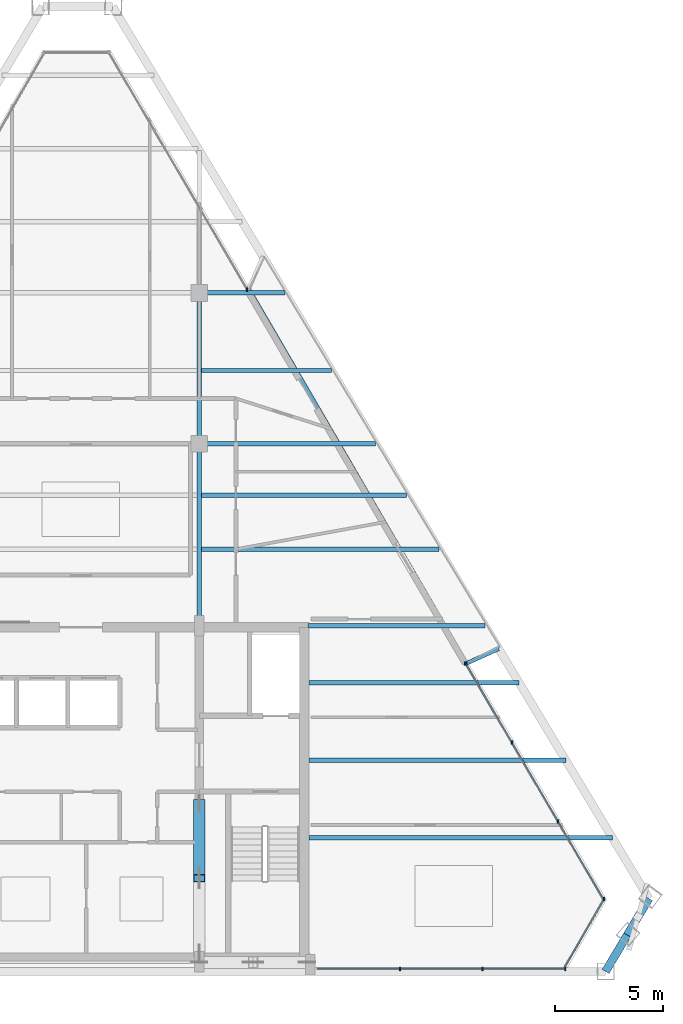
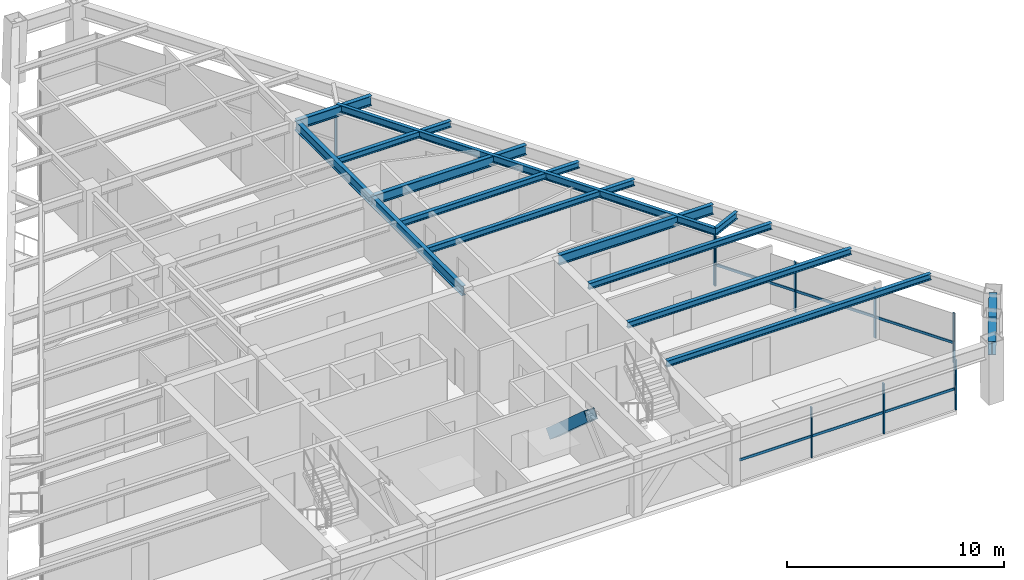
# One storey, part 5 of 13: 17 members, 15 beams, 4 elements without a shape of their own.
"""IFC4 building model written with IfcOpenShell, lengths in metres."""

from ifc_helpers import new_model, si_unit, direction, frame, origin, origin_2d, place, context, subcontext, project, spatial, rectangle, hollow_rectangle, i_section, extrude, source, transform, mapped, material, material_profile, profile_set, type_object, type_shapes, element, aggregate, save


model = new_model("IFC4")

# Units and contexts
model_context = context("Model", 3, precision=1e-05, world=origin(), true_north=direction((0.0, 1.0)))
body_context = subcontext(model_context, "Body", "Model", "MODEL_VIEW")
ifc_project = project(units=[si_unit("LENGTHUNIT", "METRE"), si_unit("AREAUNIT", "SQUARE_METRE"), si_unit("VOLUMEUNIT", "CUBIC_METRE"), si_unit("PLANEANGLEUNIT", "RADIAN"), si_unit("MASSUNIT", "GRAM", prefix="KILO")], contexts=[model_context])

# Site, building, storey
site_placement = place(None, origin())
site = spatial("IfcSite", under=ifc_project, at=site_placement, CompositionType="ELEMENT")
building_placement = place(site_placement, origin())
building = spatial("IfcBuilding", under=site, at=building_placement, Name="Varnakhor Terracotta Tower", CompositionType="ELEMENT")
storey_placement = place(building_placement, frame((0.0, 0.0, 286.800048828125)))
storey = spatial("IfcBuildingStorey", under=building, at=storey_placement, Name="L75", CompositionType="ELEMENT", Elevation=286.800048828125)

# Beams
ifc_material_1 = material(Name="Steel S355", Category="steel")
ifc_material_profile_1 = material_profile(ifc_material_1, i_section(OverallWidth=0.214111328125, OverallDepth=0.549072265625, WebThickness=0.014892578125, FlangeThickness=0.02392578125, FilletRadius=0.01806640625, at=origin_2d()), Name="W21X93")
ifc_profile_set_1 = profile_set([ifc_material_profile_1], Name="Steel S355")
beam_type_1 = type_object("IfcBeamType", Name="BM-W21X93", PredefinedType="BEAM", material=ifc_profile_set_1)
shared_shape_1 = source(origin(), body_context, "Body", "SweptSolid", [
    extrude(i_section(OverallWidth=0.214111328125, OverallDepth=0.549072265625, WebThickness=0.014892578125, FlangeThickness=0.02392578125, FilletRadius=0.01806640625, at=origin_2d()), origin(), (0.0, 0.0, 1.0), 8.449951171875),
])
type_shapes(beam_type_1, [shared_shape_1])
beam_1_placement = place(storey_placement, frame((5.5, 16.050048828125, 2.96533203125), z_axis=(0.0, 1.0, 0.0), x_axis=(-1.0, 0.0, 0.0)))
element("IfcBeam", 1, at=beam_1_placement, inside=storey, type_object=beam_type_1, Name="L75 Primary Girder NS1-E", PredefinedType="BEAM", context=body_context, shape_type="MappedRepresentation", body=[
    mapped(shared_shape_1, transform((0.0, 0.0, 0.0), scale=1.0)),
])
shared_shape_2 = source(origin(), body_context, "Body", "SweptSolid", [
    extrude(i_section(OverallWidth=0.214111328125, OverallDepth=0.549072265625, WebThickness=0.014892578125, FlangeThickness=0.02392578125, FilletRadius=0.01806640625, at=origin_2d()), origin(), (0.0, 0.0, 1.0), 7.0),
])
beam_2_placement = place(storey_placement, frame((5.5, 24.5, 2.96533203125), z_axis=(0.0, 1.0, 0.0), x_axis=(-1.0, 0.0, 0.0)))
element("IfcBeam", 2, at=beam_2_placement, inside=storey, type_object=beam_type_1, Name="L75 Primary Girder NS2-E", PredefinedType="BEAM", context=body_context, shape_type="MappedRepresentation", body=[
    mapped(shared_shape_2, transform((0.0, 0.0, 0.0), scale=1.0)),
])

# Member
ifc_material_profile_2 = material_profile(ifc_material_1, hollow_rectangle(XDim=0.550048828125, YDim=0.550048828125, WallThickness=0.034912109375, at=origin_2d()), Name="HSS550X550X35")
ifc_profile_set_2 = profile_set([ifc_material_profile_2], Name="Steel S355")
member_type_1 = type_object("IfcMemberType", Name="MBR-MEGA-550", PredefinedType="BRACE", material=ifc_profile_set_2)
shared_shape_3 = source(origin(), body_context, "Body", "SweptSolid", [
    extrude(hollow_rectangle(XDim=0.550048828125, YDim=0.550048828125, WallThickness=0.034912109375, at=origin_2d()), origin(), (0.0, 0.0, 1.0), 4.650146484375),
])
member_1_placement = place(storey_placement, frame((5.5, 7.800048828125, 0.0), z_axis=(0.0, -0.747316617832, 0.664468112638), x_axis=(1.0, 0.0, 0.0)))
element("IfcMember", 3, at=member_1_placement, inside=storey, type_object=member_type_1, Name="L75 Core Coupled Brace CWEB", PredefinedType="BRACE", context=body_context, shape_type="MappedRepresentation", body=[
    mapped(shared_shape_3, transform((0.0, 0.0, 0.0), scale=1.0)),
])

# Beams
ifc_material_profile_3 = material_profile(ifc_material_1, i_section(OverallWidth=0.381103515625, OverallDepth=0.77294921875, WebThickness=0.01708984375, FlangeThickness=0.027099609375, FilletRadius=0.01806640625, at=origin_2d()), Name="W30X173")
ifc_profile_set_3 = profile_set([ifc_material_profile_3], Name="Steel S355")
beam_type_2 = type_object("IfcBeamType", Name="BM-W30X173", PredefinedType="BEAM", material=ifc_profile_set_3)
shared_shape_4 = source(origin(), body_context, "Body", "SweptSolid", [
    extrude(i_section(OverallWidth=0.381103515625, OverallDepth=0.77294921875, WebThickness=0.01708984375, FlangeThickness=0.027099609375, FilletRadius=0.01806640625, at=origin_2d()), origin(), (0.0, 0.0, 1.0), 1.966064453125),
])
for number, where, z_axis, x_axis, name in (
    (4, (24.36376953125, 0.0, 2.853515625), (0.511095228223, 0.859524093722, 0.0), (-0.859524093722, 0.511095228223, 0.0), "L75 Perimeter Spandrel 2"),
    (5, (25.36865234375, 1.68994140625, 2.853515625), (0.511095228223, 0.859524093722, 0.0), (-0.859524093722, 0.511095228223, 0.0), "L75 Perimeter Spandrel 3"),
):
    element("IfcBeam", number, at=place(storey_placement, frame(where, z_axis=z_axis, x_axis=x_axis)), inside=storey, type_object=beam_type_2, Name=name, PredefinedType="BEAM", context=body_context, shape_type="MappedRepresentation", body=[
        mapped(shared_shape_4, transform((0.0, 0.0, 0.0), scale=1.0)),
    ])
ifc_material_profile_4 = material_profile(ifc_material_1, i_section(OverallWidth=0.179931640625, OverallDepth=0.39990234375, WebThickness=0.008544921875, FlangeThickness=0.013427734375, FilletRadius=0.01806640625, at=origin_2d()), Name="IPE400")
ifc_profile_set_4 = profile_set([ifc_material_profile_4], Name="Steel S355")
beam_type_3 = type_object("IfcBeamType", Name="JST-IPE400", PredefinedType="JOIST", material=ifc_profile_set_4)
shared_shape_5 = source(origin(), body_context, "Body", "SweptSolid", [
    extrude(i_section(OverallWidth=0.179931640625, OverallDepth=0.39990234375, WebThickness=0.008544921875, FlangeThickness=0.013427734375, FilletRadius=0.01806640625, at=origin_2d()), origin(), (0.0, 0.0, 1.0), 20.120849609375),
])
beam_3_placement = place(storey_placement, frame((17.89697265625, 14.2978515625, 3.0400390625), z_axis=(-0.502434648211, 0.864615188553, 0.0), x_axis=(-0.864615188553, -0.502434648211, 0.0)))
element("IfcBeam", 6, at=beam_3_placement, inside=storey, type_object=beam_type_3, Name="L75 Loggia Edge Beam 1", PredefinedType="JOIST", context=body_context, shape_type="MappedRepresentation", body=[
    mapped(shared_shape_5, transform((0.0, 0.0, 0.0), scale=1.0)),
])
shared_shape_6 = source(origin(), body_context, "Body", "SweptSolid", [
    extrude(i_section(OverallWidth=0.214111328125, OverallDepth=0.549072265625, WebThickness=0.014892578125, FlangeThickness=0.02392578125, FilletRadius=0.01806640625, at=origin_2d()), origin(), (0.0, 0.0, 1.0), 8.20751953125),
])
beam_4_placement = place(storey_placement, frame((10.550048828125, 16.050048828125, 2.96533203125), z_axis=(1.0, 0.0, 0.0), x_axis=(0.0, 1.0, 0.0)))
element("IfcBeam", 7, at=beam_4_placement, inside=storey, type_object=beam_type_1, Name="L75 Wing Girder E", PredefinedType="BEAM", context=body_context, shape_type="MappedRepresentation", body=[
    mapped(shared_shape_6, transform((0.0, 0.0, 0.0), scale=1.0)),
])
shared_shape_7 = source(origin(), body_context, "Body", "SweptSolid", [
    extrude(i_section(OverallWidth=0.214111328125, OverallDepth=0.549072265625, WebThickness=0.014892578125, FlangeThickness=0.02392578125, FilletRadius=0.01806640625, at=origin_2d()), origin(), (0.0, 0.0, 1.0), 8.17822265625),
])
beam_5_placement = place(storey_placement, frame((5.5, 24.5, 2.96533203125), z_axis=(1.0, 0.0, 0.0), x_axis=(0.0, 1.0, 0.0)))
element("IfcBeam", 8, at=beam_5_placement, inside=storey, type_object=beam_type_1, Name="L75 Primary Girder EW2-3", PredefinedType="BEAM", context=body_context, shape_type="MappedRepresentation", body=[
    mapped(shared_shape_7, transform((0.0, 0.0, 0.0), scale=1.0)),
])
shared_shape_8 = source(origin(), body_context, "Body", "SweptSolid", [
    extrude(i_section(OverallWidth=0.214111328125, OverallDepth=0.549072265625, WebThickness=0.014892578125, FlangeThickness=0.02392578125, FilletRadius=0.01806640625, at=origin_2d()), origin(), (0.0, 0.0, 1.0), 3.970458984375),
])
beam_6_placement = place(storey_placement, frame((5.5, 31.5, 2.96533203125), z_axis=(1.0, 0.0, 0.0), x_axis=(0.0, 1.0, 0.0)))
element("IfcBeam", 9, at=beam_6_placement, inside=storey, type_object=beam_type_1, Name="L75 Primary Girder EW3-3", PredefinedType="BEAM", context=body_context, shape_type="MappedRepresentation", body=[
    mapped(shared_shape_8, transform((0.0, 0.0, 0.0), scale=1.0)),
])
ifc_material_profile_5 = material_profile(ifc_material_1, i_section(OverallWidth=0.202880859375, OverallDepth=0.346923828125, WebThickness=0.0078125, FlangeThickness=0.013427734375, FilletRadius=0.01806640625, at=origin_2d()), Name="W14X43")
ifc_profile_set_5 = profile_set([ifc_material_profile_5], Name="Steel S355")
beam_type_4 = type_object("IfcBeamType", Name="JST-W14X43", PredefinedType="JOIST", material=ifc_profile_set_5)
shared_shape_9 = source(origin(), body_context, "Body", "SweptSolid", [
    extrude(i_section(OverallWidth=0.202880859375, OverallDepth=0.346923828125, WebThickness=0.0078125, FlangeThickness=0.013427734375, FilletRadius=0.01806640625, at=origin_2d()), origin(), (0.0, 0.0, 1.0), 14.078369140625),
])
beam_7_placement = place(storey_placement, frame((10.60009765625, 6.199951171875, 3.06640625), z_axis=(1.0, 0.0, 0.0), x_axis=(0.0, 1.0, 0.0)))
element("IfcBeam", 10, at=beam_7_placement, inside=storey, type_object=beam_type_4, Name="L75 Floor Joist E1", PredefinedType="JOIST", context=body_context, shape_type="MappedRepresentation", body=[
    mapped(shared_shape_9, transform((0.0, 0.0, 0.0), scale=1.0)),
])
shared_shape_10 = source(origin(), body_context, "Body", "SweptSolid", [
    extrude(i_section(OverallWidth=0.202880859375, OverallDepth=0.346923828125, WebThickness=0.0078125, FlangeThickness=0.013427734375, FilletRadius=0.01806640625, at=origin_2d()), origin(), (0.0, 0.0, 1.0), 11.914306640625),
])
beam_8_placement = place(storey_placement, frame((10.60009765625, 9.800048828125, 3.06640625), z_axis=(1.0, 0.0, 0.0), x_axis=(0.0, 1.0, 0.0)))
element("IfcBeam", 11, at=beam_8_placement, inside=storey, type_object=beam_type_4, Name="L75 Floor Joist E2", PredefinedType="JOIST", context=body_context, shape_type="MappedRepresentation", body=[
    mapped(shared_shape_10, transform((0.0, 0.0, 0.0), scale=1.0)),
])
shared_shape_11 = source(origin(), body_context, "Body", "SweptSolid", [
    extrude(i_section(OverallWidth=0.202880859375, OverallDepth=0.346923828125, WebThickness=0.0078125, FlangeThickness=0.013427734375, FilletRadius=0.01806640625, at=origin_2d()), origin(), (0.0, 0.0, 1.0), 9.75048828125),
])
beam_9_placement = place(storey_placement, frame((10.60009765625, 13.39990234375, 3.06640625), z_axis=(1.0, 0.0, 0.0), x_axis=(0.0, 1.0, 0.0)))
element("IfcBeam", 12, at=beam_9_placement, inside=storey, type_object=beam_type_4, Name="L75 Floor Joist E3", PredefinedType="JOIST", context=body_context, shape_type="MappedRepresentation", body=[
    mapped(shared_shape_11, transform((0.0, 0.0, 0.0), scale=1.0)),
])
shared_shape_12 = source(origin(), body_context, "Body", "SweptSolid", [
    extrude(i_section(OverallWidth=0.202880859375, OverallDepth=0.346923828125, WebThickness=0.0078125, FlangeThickness=0.013427734375, FilletRadius=0.01806640625, at=origin_2d()), origin(), (0.0, 0.0, 1.0), 11.0205078125),
])
beam_10_placement = place(storey_placement, frame((5.60302734375, 19.60009765625, 3.06640625), z_axis=(1.0, 0.0, 0.0), x_axis=(0.0, 1.0, 0.0)))
element("IfcBeam", 13, at=beam_10_placement, inside=storey, type_object=beam_type_4, Name="L75 Composite Floor Joist 4-3", PredefinedType="JOIST", context=body_context, shape_type="MappedRepresentation", body=[
    mapped(shared_shape_12, transform((0.0, 0.0, 0.0), scale=1.0)),
])
shared_shape_13 = source(origin(), body_context, "Body", "SweptSolid", [
    extrude(i_section(OverallWidth=0.202880859375, OverallDepth=0.346923828125, WebThickness=0.0078125, FlangeThickness=0.013427734375, FilletRadius=0.01806640625, at=origin_2d()), origin(), (0.0, 0.0, 1.0), 9.517822265625),
])
beam_11_placement = place(storey_placement, frame((5.60302734375, 22.10009765625, 3.06640625), z_axis=(1.0, 0.0, 0.0), x_axis=(0.0, 1.0, 0.0)))
element("IfcBeam", 14, at=beam_11_placement, inside=storey, type_object=beam_type_4, Name="L75 Composite Floor Joist 5-3", PredefinedType="JOIST", context=body_context, shape_type="MappedRepresentation", body=[
    mapped(shared_shape_13, transform((0.0, 0.0, 0.0), scale=1.0)),
])
shared_shape_14 = source(origin(), body_context, "Body", "SweptSolid", [
    extrude(i_section(OverallWidth=0.202880859375, OverallDepth=0.346923828125, WebThickness=0.0078125, FlangeThickness=0.013427734375, FilletRadius=0.01806640625, at=origin_2d()), origin(), (0.0, 0.0, 1.0), 6.031494140625),
])
beam_12_placement = place(storey_placement, frame((5.60302734375, 27.89990234375, 3.06640625), z_axis=(1.0, 0.0, 0.0), x_axis=(0.0, 1.0, 0.0)))
element("IfcBeam", 15, at=beam_12_placement, inside=storey, type_object=beam_type_4, Name="L75 Composite Floor Joist 6-3", PredefinedType="JOIST", context=body_context, shape_type="MappedRepresentation", body=[
    mapped(shared_shape_14, transform((0.0, 0.0, 0.0), scale=1.0)),
])

# Curtain wall, members
ifc_material_2 = material(Name="Anodised Aluminium Curtain Wall System", Category="aluminium")
curtain_wall_type = type_object("IfcCurtainWallType", Name="CW-SYS-HOTEL-LOGGIA", PredefinedType="NOTDEFINED", material=ifc_material_2)
curtain_wall_1_placement = place(storey_placement, origin())
curtain_wall_1 = element("IfcCurtainWall", 16, at=curtain_wall_1_placement, inside=storey, type_object=curtain_wall_type, Name="L75 E Facet Curtain Wall 2", PredefinedType="NOTDEFINED")
ifc_material_3 = material(Name="Anodised Aluminium 6063-T6", Category="aluminium")
ifc_material_profile_6 = material_profile(ifc_material_3, rectangle(XDim=0.06494140625, YDim=0.159912109375, at=origin_2d()), Name="ALU MULLION 65x160")
ifc_profile_set_6 = profile_set([ifc_material_profile_6], Name="Anodised Aluminium 6063-T6")
member_type_2 = type_object("IfcMemberType", Name="CWM-04", PredefinedType="MULLION", material=ifc_profile_set_6)
shared_shape_15 = source(origin(), body_context, "Body", "SweptSolid", [
    extrude(rectangle(XDim=0.06494140625, YDim=0.159912109375, at=origin_2d()), origin(), (0.0, 0.0, 1.0), 2.820068359375),
])
type_shapes(member_type_2, [shared_shape_15])
member_2_placement = place(storey_placement, frame((17.87548828125, 14.28564453125, 0.0), z_axis=(0.0, 0.0, 1.0), x_axis=(1.0, 0.0, 0.0)))
member_2 = element("IfcMember", 17, at=member_2_placement, type_object=member_type_2, Name="L75 E Facet Curtain Wall 2 Mullion 1", PredefinedType="MULLION", context=body_context, shape_type="MappedRepresentation", body=[
    mapped(shared_shape_15, transform((0.0, 0.0, 0.0), scale=1.0)),
])
member_3_placement = place(storey_placement, frame((20.01513671875, 10.62158203125, 0.0), z_axis=(0.0, 0.0, 1.0), x_axis=(1.0, 0.0, 0.0)))
member_3 = element("IfcMember", 18, at=member_3_placement, type_object=member_type_2, Name="L75 E Facet Curtain Wall 2 Mullion 2", PredefinedType="MULLION", context=body_context, shape_type="MappedRepresentation", body=[
    mapped(shared_shape_15, transform((0.0, 0.0, 0.0), scale=1.0)),
])
member_4_placement = place(storey_placement, frame((22.15478515625, 6.9580078125, 0.0), z_axis=(0.0, 0.0, 1.0), x_axis=(1.0, 0.0, 0.0)))
member_4 = element("IfcMember", 19, at=member_4_placement, type_object=member_type_2, Name="L75 E Facet Curtain Wall 2 Mullion 3", PredefinedType="MULLION", context=body_context, shape_type="MappedRepresentation", body=[
    mapped(shared_shape_15, transform((0.0, 0.0, 0.0), scale=1.0)),
])

# Curtain wall, member
curtain_wall_2_placement = place(storey_placement, origin())
curtain_wall_2 = element("IfcCurtainWall", 20, at=curtain_wall_2_placement, inside=storey, type_object=curtain_wall_type, Name="L75 E Facet Curtain Wall 1", PredefinedType="NOTDEFINED")
member_5_placement = place(storey_placement, frame((7.70849609375, 31.655517578125, 0.0), z_axis=(0.0, 0.0, 1.0), x_axis=(1.0, 0.0, 0.0)))
member_5 = element("IfcMember", 21, at=member_5_placement, type_object=member_type_2, Name="L75 E Loggia Jamb Closure Mullion 1", PredefinedType="MULLION", context=body_context, shape_type="MappedRepresentation", body=[
    mapped(shared_shape_15, transform((0.0, 0.0, 0.0), scale=1.0)),
])
aggregate(curtain_wall_2, [member_5])

# Member
member_6_placement = place(storey_placement, frame((17.843017578125, 14.301513671875, 0.0), z_axis=(0.0, 0.0, 1.0), x_axis=(1.0, 0.0, 0.0)))
member_6 = element("IfcMember", 22, at=member_6_placement, type_object=member_type_2, Name="L75 E Loggia Jamb Closure Mullion 2", PredefinedType="MULLION", context=body_context, shape_type="MappedRepresentation", body=[
    mapped(shared_shape_15, transform((0.0, 0.0, 0.0), scale=1.0)),
])

# Curtain wall, member
curtain_wall_3_placement = place(storey_placement, origin())
curtain_wall_3 = element("IfcCurtainWall", 23, at=curtain_wall_3_placement, inside=storey, type_object=curtain_wall_type, Name="L75 Facet Curtain Wall 4", PredefinedType="NOTDEFINED")
member_7_placement = place(storey_placement, frame((24.294189453125, 3.3623046875, 0.0), z_axis=(0.0, 0.0, 1.0), x_axis=(1.0, 0.0, 0.0)))
member_7 = element("IfcMember", 24, at=member_7_placement, type_object=member_type_2, Name="L75 Facet Curtain Wall 4 Mullion 1", PredefinedType="MULLION", context=body_context, shape_type="MappedRepresentation", body=[
    mapped(shared_shape_15, transform((0.0, 0.0, 0.0), scale=1.0)),
])

# Curtain wall, members
curtain_wall_4_placement = place(storey_placement, origin())
curtain_wall_4 = element("IfcCurtainWall", 25, at=curtain_wall_4_placement, inside=storey, type_object=curtain_wall_type, Name="L75 South Wing Curtain Wall SSE", PredefinedType="NOTDEFINED")
member_8_placement = place(storey_placement, frame((22.489013671875, 0.1201171875, 0.0), z_axis=(0.0, 0.0, 1.0), x_axis=(1.0, 0.0, 0.0)))
member_8 = element("IfcMember", 26, at=member_8_placement, type_object=member_type_2, Name="L75 South Wing Curtain Wall SSE Mullion 1", PredefinedType="MULLION", context=body_context, shape_type="MappedRepresentation", body=[
    mapped(shared_shape_15, transform((0.0, 0.0, 0.0), scale=1.0)),
])
member_9_placement = place(storey_placement, frame((18.6494140625, 0.1201171875, 0.0), z_axis=(0.0, 0.0, 1.0), x_axis=(1.0, 0.0, 0.0)))
member_9 = element("IfcMember", 27, at=member_9_placement, type_object=member_type_2, Name="L75 South Wing Curtain Wall SSE Mullion 2", PredefinedType="MULLION", context=body_context, shape_type="MappedRepresentation", body=[
    mapped(shared_shape_15, transform((0.0, 0.0, 0.0), scale=1.0)),
])
member_10_placement = place(storey_placement, frame((14.809814453125, 0.1201171875, 0.0), z_axis=(0.0, 0.0, 1.0), x_axis=(1.0, 0.0, 0.0)))
member_10 = element("IfcMember", 28, at=member_10_placement, type_object=member_type_2, Name="L75 South Wing Curtain Wall SSE Mullion 3", PredefinedType="MULLION", context=body_context, shape_type="MappedRepresentation", body=[
    mapped(shared_shape_15, transform((0.0, 0.0, 0.0), scale=1.0)),
])

# Member
ifc_material_profile_7 = material_profile(ifc_material_3, rectangle(XDim=0.06494140625, YDim=0.14501953125, at=origin_2d()), Name="ALU TRANSOM 65x145")
ifc_profile_set_7 = profile_set([ifc_material_profile_7], Name="Anodised Aluminium 6063-T6")
member_type_3 = type_object("IfcMemberType", Name="CWT-04", PredefinedType="USERDEFINED", material=ifc_profile_set_7)
shared_shape_16 = source(origin(), body_context, "Body", "SweptSolid", [
    extrude(rectangle(XDim=0.06494140625, YDim=0.14501953125, at=origin_2d()), origin(), (0.0, 0.0, 1.0), 4.2431640625),
])
member_11_placement = place(storey_placement, frame((17.87548828125, 14.28564453125, 1.184326171875), z_axis=(0.504271657296, -0.863545074474, 0.0), x_axis=(0.863545074474, 0.504271657296, 0.0)))
member_11 = element("IfcMember", 29, at=member_11_placement, type_object=member_type_3, Name="L75 E Facet Curtain Wall 2 Transom 1", ObjectType="TRANSOM", PredefinedType="USERDEFINED", context=body_context, shape_type="MappedRepresentation", body=[
    mapped(shared_shape_16, transform((0.0, 0.0, 0.0), scale=1.0)),
])

member_12_placement = place(storey_placement, frame((22.15478515625, 6.9580078125, 1.184326171875), z_axis=(0.504271657296, -0.863545074474, 0.0), x_axis=(0.863545074474, 0.504271657296, 0.0)))
member_12 = element("IfcMember", 30, at=member_12_placement, type_object=member_type_3, Name="L75 E Facet Curtain Wall 2 Transom 3", ObjectType="TRANSOM", PredefinedType="USERDEFINED", context=body_context, shape_type="MappedRepresentation", body=[
    mapped(shared_shape_16, transform((0.0, 0.0, 0.0), scale=1.0)),
])

shared_shape_17 = source(origin(), body_context, "Body", "SweptSolid", [
    extrude(rectangle(XDim=0.06494140625, YDim=0.14501953125, at=origin_2d()), origin(), (0.0, 0.0, 1.0), 4.24267578125),
])
member_13_placement = place(storey_placement, frame((20.01513671875, 10.62158203125, 1.184326171875), z_axis=(0.504321773429, -0.863515806946, 0.0), x_axis=(0.863515806946, 0.504321773429, 0.0)))
member_13 = element("IfcMember", 31, at=member_13_placement, type_object=member_type_3, Name="L75 E Facet Curtain Wall 2 Transom 2", ObjectType="TRANSOM", PredefinedType="USERDEFINED", context=body_context, shape_type="MappedRepresentation", body=[
    mapped(shared_shape_17, transform((0.0, 0.0, 0.0), scale=1.0)),
])

aggregate(curtain_wall_1, [member_2, member_11, member_3, member_13, member_4, member_12, member_6])

shared_shape_18 = source(origin(), body_context, "Body", "SweptSolid", [
    extrude(rectangle(XDim=0.06494140625, YDim=0.14501953125, at=origin_2d()), origin(), (0.0, 0.0, 1.0), 3.77978515625),
])
member_14_placement = place(storey_placement, frame((24.294189453125, 3.3623046875, 1.184326171875), z_axis=(-0.498516025043, -0.866880483559, 0.0), x_axis=(0.866880483559, -0.498516025043, 0.0)))
member_14 = element("IfcMember", 32, at=member_14_placement, type_object=member_type_3, Name="L75 Facet Curtain Wall 4 Transom 1", ObjectType="TRANSOM", PredefinedType="USERDEFINED", context=body_context, shape_type="MappedRepresentation", body=[
    mapped(shared_shape_18, transform((0.0, 0.0, 0.0), scale=1.0)),
])

aggregate(curtain_wall_3, [member_7, member_14])

shared_shape_19 = source(origin(), body_context, "Body", "SweptSolid", [
    extrude(rectangle(XDim=0.06494140625, YDim=0.14501953125, at=origin_2d()), origin(), (0.0, 0.0, 1.0), 3.839599609375),
])
member_15_placement = place(storey_placement, frame((22.489013671875, 0.1201171875, 1.184326171875), z_axis=(-1.0, 0.0, 0.0), x_axis=(0.0, -1.0, 0.0)))
member_15 = element("IfcMember", 33, at=member_15_placement, type_object=member_type_3, Name="L75 South Wing Curtain Wall SSE Transom 1", ObjectType="TRANSOM", PredefinedType="USERDEFINED", context=body_context, shape_type="MappedRepresentation", body=[
    mapped(shared_shape_19, transform((0.0, 0.0, 0.0), scale=1.0)),
])

member_16_placement = place(storey_placement, frame((18.6494140625, 0.1201171875, 1.184326171875), z_axis=(-1.0, 0.0, 0.0), x_axis=(0.0, -1.0, 0.0)))
member_16 = element("IfcMember", 34, at=member_16_placement, type_object=member_type_3, Name="L75 South Wing Curtain Wall SSE Transom 2", ObjectType="TRANSOM", PredefinedType="USERDEFINED", context=body_context, shape_type="MappedRepresentation", body=[
    mapped(shared_shape_19, transform((0.0, 0.0, 0.0), scale=1.0)),
])

shared_shape_20 = source(origin(), body_context, "Body", "SweptSolid", [
    extrude(rectangle(XDim=0.06494140625, YDim=0.14501953125, at=origin_2d()), origin(), (0.0, 0.0, 1.0), 3.83984375),
])
member_17_placement = place(storey_placement, frame((14.809814453125, 0.1201171875, 1.184326171875), z_axis=(-1.0, 0.0, 0.0), x_axis=(0.0, -1.0, 0.0)))
member_17 = element("IfcMember", 35, at=member_17_placement, type_object=member_type_3, Name="L75 South Wing Curtain Wall SSE Transom 3", ObjectType="TRANSOM", PredefinedType="USERDEFINED", context=body_context, shape_type="MappedRepresentation", body=[
    mapped(shared_shape_20, transform((0.0, 0.0, 0.0), scale=1.0)),
])

aggregate(curtain_wall_4, [member_8, member_15, member_9, member_16, member_10, member_17])

# Beam
shared_shape_21 = source(origin(), body_context, "Body", "SweptSolid", [
    extrude(i_section(OverallWidth=0.179931640625, OverallDepth=0.39990234375, WebThickness=0.008544921875, FlangeThickness=0.013427734375, FilletRadius=0.01806640625, at=origin_2d()), origin(), (0.0, 0.0, 1.0), 1.65185546875),
])
beam_13_placement = place(storey_placement, frame((17.89697265625, 14.2978515625, 3.0400390625), z_axis=(0.912029322476, 0.410124999169, 0.0), x_axis=(-0.410124999169, 0.912029322476, 0.0)))
element("IfcBeam", 36, at=beam_13_placement, inside=storey, type_object=beam_type_3, Name="L76 E Loggia Tie Beam 2", PredefinedType="JOIST", context=body_context, shape_type="MappedRepresentation", body=[
    mapped(shared_shape_21, transform((0.0, 0.0, 0.0), scale=1.0)),
])

save(model, "model.ifc")
